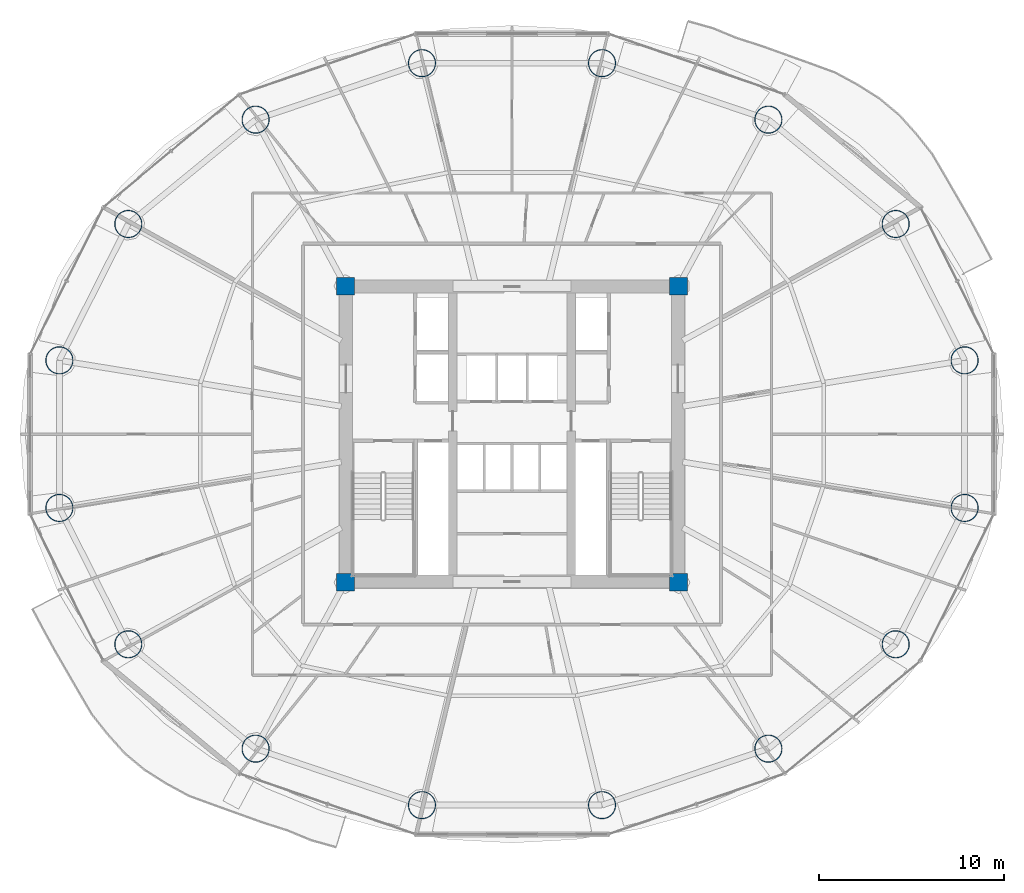
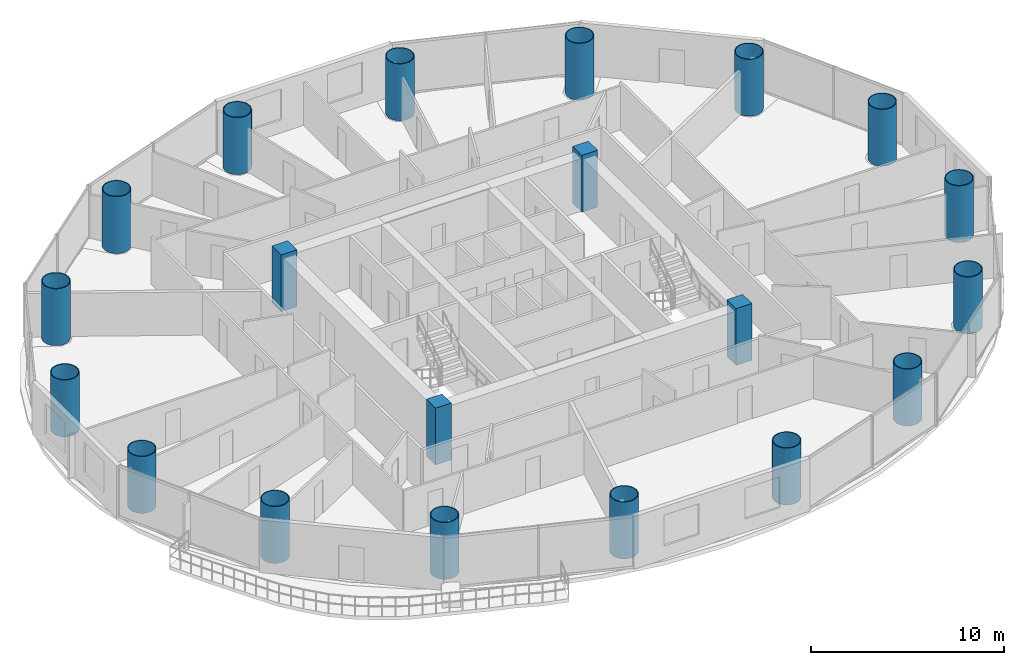
# One storey, part 1 of 29: 20 columns.
"""IFC4 building model written with IfcOpenShell, lengths in metres."""

from ifc_helpers import new_model, si_unit, direction, frame, origin, origin_2d, place, context, subcontext, project, spatial, rectangle, hollow_circle, extrude, material, material_profile, profile_set, type_object, element, save


model = new_model("IFC4")

# Units and contexts
model_context = context("Model", 3, precision=1e-05, world=origin(), true_north=direction((-0.2419218956, 0.970295726276)))
body_context = subcontext(model_context, "Body", "Model", "MODEL_VIEW")
ifc_project = project(units=[si_unit("LENGTHUNIT", "METRE"), si_unit("AREAUNIT", "SQUARE_METRE"), si_unit("VOLUMEUNIT", "CUBIC_METRE"), si_unit("PLANEANGLEUNIT", "RADIAN"), si_unit("MASSUNIT", "GRAM", prefix="KILO")], contexts=[model_context])

# Site, building, storey
site_placement = place(None, origin())
site = spatial("IfcSite", under=ifc_project, at=site_placement, CompositionType="ELEMENT")
building_placement = place(site_placement, origin())
building = spatial("IfcBuilding", under=site, at=building_placement, Name="Cobrevalo Terracotta Tower", CompositionType="ELEMENT")
storey_placement = place(building_placement, frame((0.0, 0.0, 94.199951171875)))
storey = spatial("IfcBuildingStorey", under=building, at=storey_placement, Name="L24", CompositionType="ELEMENT", Elevation=94.199951171875)

# Columns
ifc_material_1 = material(Name="Steel S355", Category="steel")
ifc_material_profile_1 = material_profile(ifc_material_1, hollow_circle(Radius=0.75, WallThickness=0.044921875, at=origin_2d()), Name="CHS 1500x45")
ifc_profile_set_1 = profile_set([ifc_material_profile_1], Name="Steel S355")
column_type_1 = type_object("IfcColumnType", Name="Structural Column CHS 1500x45 (Steel S355)", PredefinedType="COLUMN", material=ifc_profile_set_1)
for number, where, z_axis, x_axis, name in (
    (1, (62.470703125, 30.78955078125, 0.0), (0.0, 0.0, 1.0), (1.0, 0.0, 0.0), "L24 composite megacolumn MC01"),
    (2, (58.7451171875, 38.161376953125, 0.0), (0.0, 0.0, 1.0), (1.0, 0.0, 0.0), "L24 composite megacolumn MC02"),
    (3, (51.861572265625, 43.803466796875, 0.0), (0.0, 0.0, 1.0), (1.0, 0.0, 0.0), "L24 composite megacolumn MC03"),
    (4, (42.867431640625, 46.857177734375, 0.0), (0.0, 0.0, 1.0), (1.0, 0.0, 0.0), "L24 composite megacolumn MC04"),
    (5, (33.132568359375, 46.857177734375, 0.0), (0.0, 0.0, 1.0), (1.0, 0.0, 0.0), "L24 composite megacolumn MC05"),
    (6, (24.138427734375, 43.803466796875, 0.0), (0.0, 0.0, 1.0), (1.0, 0.0, 0.0), "L24 composite megacolumn MC06"),
    (7, (17.2548828125, 38.161376953125, 0.0), (0.0, 0.0, 1.0), (1.0, 0.0, 0.0), "L24 composite megacolumn MC07"),
    (8, (13.529296875, 30.78955078125, 0.0), (0.0, 0.0, 1.0), (1.0, 0.0, 0.0), "L24 composite megacolumn MC08"),
    (9, (13.529296875, 22.810302734375, 0.0), (0.0, 0.0, 1.0), (1.0, 0.0, 0.0), "L24 composite megacolumn MC09"),
    (10, (17.2548828125, 15.4384765625, 0.0), (0.0, 0.0, 1.0), (1.0, 0.0, 0.0), "L24 composite megacolumn MC10"),
    (11, (24.138427734375, 9.79638671875, 0.0), (0.0, 0.0, 1.0), (1.0, 0.0, 0.0), "L24 composite megacolumn MC11"),
    (12, (33.132568359375, 6.742919921875, 0.0), (0.0, 0.0, 1.0), (1.0, 0.0, 0.0), "L24 composite megacolumn MC12"),
    (13, (42.867431640625, 6.742919921875, 0.0), (0.0, 0.0, 1.0), (1.0, 0.0, 0.0), "L24 composite megacolumn MC13"),
    (14, (51.861572265625, 9.79638671875, 0.0), (0.0, 0.0, 1.0), (1.0, 0.0, 0.0), "L24 composite megacolumn MC14"),
    (15, (58.7451171875, 15.4384765625, 0.0), (0.0, 0.0, 1.0), (1.0, 0.0, 0.0), "L24 composite megacolumn MC15"),
    (16, (62.470703125, 22.810302734375, 0.0), (0.0, 0.0, 1.0), (1.0, 0.0, 0.0), "L24 composite megacolumn MC16"),
):
    element("IfcColumn", number, at=place(storey_placement, frame(where, z_axis=z_axis, x_axis=x_axis)), inside=storey, type_object=column_type_1, Name=name, PredefinedType="COLUMN", context=body_context, shape_type="SweptSolid", body=[
        extrude(hollow_circle(Radius=0.75, WallThickness=0.044921875, at=origin_2d()), origin(), (0.0, 0.0, 1.0), 3.60009765625),
    ])
ifc_material_2 = material(Name="Concrete C55", Category="concrete")
ifc_material_profile_2 = material_profile(ifc_material_2, rectangle(XDim=0.949951171875, YDim=0.949951171875, at=origin_2d()), Name="RC COL 950x950")
ifc_profile_set_2 = profile_set([ifc_material_profile_2], Name="Concrete C55")
column_type_2 = type_object("IfcColumnType", Name="Structural Column RC COL 950x950 (Concrete C55)", PredefinedType="COLUMN", material=ifc_profile_set_2)
for number, where, z_axis, x_axis, name in (
    (17, (29.0, 18.800048828125, 0.0), (0.0, 0.0, 1.0), (1.0, 0.0, 0.0), "L24 core corner column CC1"),
    (18, (47.0, 18.800048828125, 0.0), (0.0, 0.0, 1.0), (1.0, 0.0, 0.0), "L24 core corner column CC2"),
    (19, (47.0, 34.800048828125, 0.0), (0.0, 0.0, 1.0), (1.0, 0.0, 0.0), "L24 core corner column CC3"),
    (20, (29.0, 34.800048828125, 0.0), (0.0, 0.0, 1.0), (1.0, 0.0, 0.0), "L24 core corner column CC4"),
):
    element("IfcColumn", number, at=place(storey_placement, frame(where, z_axis=z_axis, x_axis=x_axis)), inside=storey, type_object=column_type_2, Name=name, PredefinedType="COLUMN", context=body_context, shape_type="SweptSolid", body=[
        extrude(rectangle(XDim=0.949951171875, YDim=0.949951171875, at=origin_2d()), origin(), (0.0, 0.0, 1.0), 3.60009765625),
    ])

save(model, "model.ifc")
